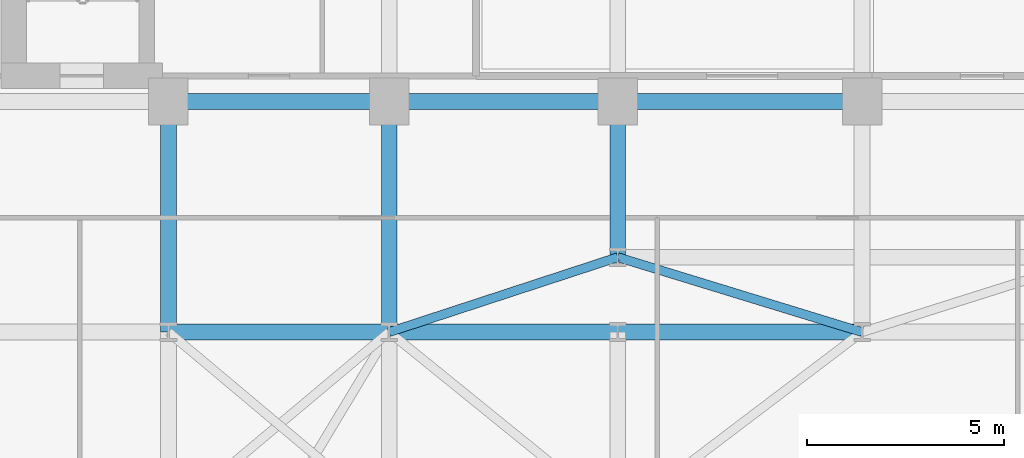
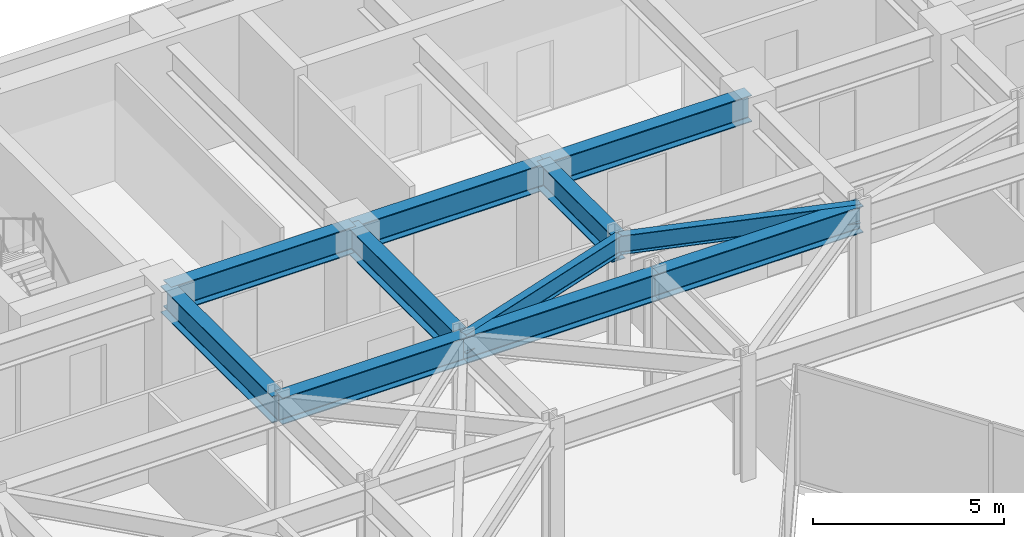
# One storey, part 8 of 20: 11 beams.
"""IFC4 building model written with IfcOpenShell, lengths in metres."""

import ifcopenshell
import ifcopenshell.guid

model = None  # the IFC model being written
_history = None  # IfcOwnerHistory: only IFC2X3 demands one
_inside = {}  # id of a spatial element -> (the spatial element, [elements in it])
_under = {}  # id of a project, library or spatial element -> (it, [spatial elements below it])
_declared = {}  # id of a project -> (the project, [libraries it declares])
_typed = {}  # id of a type object -> (the type object, [elements of that type])
_made_of = {}  # id of a material, layer set ... -> (it, [elements and type objects made of it])


def new_model(schema):
    """Start an empty IFC model of exactly this schema.

    Asked for "IFC4X3", IfcOpenShell would pick the latest addendum, in which some entities
    have other attributes; the version numbers below select the first issue.
    IFC2X3 requires an IfcOwnerHistory on every rooted entity: one is made here for all.
    """
    global model, _history
    if schema == "IFC4X3":
        model = ifcopenshell.file(schema_version=(4, 3, 0, 0))
    else:
        model = ifcopenshell.file(schema=schema)
    _inside.clear()
    _under.clear()
    _declared.clear()
    _typed.clear()
    _made_of.clear()
    _history = None
    if model.schema == "IFC2X3":
        org = make("IfcOrganization", Name="unknown")
        user = make(
            "IfcPersonAndOrganization",
            ThePerson=make("IfcPerson", FamilyName="unknown"),
            TheOrganization=org,
        )
        app = make(
            "IfcApplication",
            ApplicationDeveloper=org,
            Version="unknown",
            ApplicationFullName="unknown",
            ApplicationIdentifier="unknown",
        )
        _history = make(
            "IfcOwnerHistory",
            OwningUser=user,
            OwningApplication=app,
            ChangeAction="ADDED",
            CreationDate=0,
        )
    return model


def make(cls, **values):
    """One entity of the class cls with the attributes given. An attribute that is None is left unset."""
    return model.create_entity(
        cls, **{name: value for name, value in values.items() if value is not None}
    )


def rooted(cls, **values):
    """An entity with a GlobalId (a new one), such as an element, a storey or a relation."""
    return make(cls, GlobalId=ifcopenshell.guid.new(), OwnerHistory=_history, **values)


def si_unit(unit_type, name, prefix=None):
    """IfcSIUnit, for example si_unit("LENGTHUNIT", "METRE", prefix="MILLI")."""
    return make("IfcSIUnit", UnitType=unit_type, Prefix=prefix, Name=name)


def assignment(units):
    """IfcUnitAssignment: the units of a project."""
    return None if units is None else make("IfcUnitAssignment", Units=units)


def point(xyz):
    """IfcCartesianPoint."""
    return None if xyz is None else make("IfcCartesianPoint", Coordinates=xyz)


def direction(xyz):
    """IfcDirection."""
    return None if xyz is None else make("IfcDirection", DirectionRatios=xyz)


def frame(location, z_axis=None, x_axis=None):
    """IfcAxis2Placement3D, a coordinate frame: its origin and axes. An axis left out is left unset."""
    return make(
        "IfcAxis2Placement3D",
        Location=point(location),
        Axis=direction(z_axis),
        RefDirection=direction(x_axis),
    )


def frame_2d(location, x_axis=None):
    """IfcAxis2Placement2D, a coordinate frame in the plane: its origin and x axis."""
    return make(
        "IfcAxis2Placement2D", Location=point(location), RefDirection=direction(x_axis)
    )


def origin():
    """The frame at (0, 0, 0) with its axes left unset."""
    return frame((0.0, 0.0, 0.0))


def origin_2d():
    """The frame at (0, 0) in the plane with its x axis left unset."""
    return frame_2d((0.0, 0.0))


def place(relative_to, where):
    """IfcLocalPlacement: puts the frame where relative to a parent placement (None: the world)."""
    return make(
        "IfcLocalPlacement", PlacementRelTo=relative_to, RelativePlacement=where
    )


def context(
    kind, dimensions, precision=None, world=None, true_north=None, identifier=None
):
    """IfcGeometricRepresentationContext, for example the 3D "Model" context."""
    return make(
        "IfcGeometricRepresentationContext",
        ContextIdentifier=identifier,
        ContextType=kind,
        CoordinateSpaceDimension=dimensions,
        Precision=precision,
        WorldCoordinateSystem=world,
        TrueNorth=true_north,
    )


def subcontext(parent, identifier, kind, view, scale=None):
    """IfcGeometricRepresentationSubContext, for example "Body" below "Model"."""
    return make(
        "IfcGeometricRepresentationSubContext",
        ContextIdentifier=identifier,
        ContextType=kind,
        ParentContext=parent,
        TargetScale=scale,
        TargetView=view,
    )


def project(units=None, contexts=None):
    """IfcProject with its units and contexts."""
    return rooted(
        "IfcProject",
        Name="project",
        RepresentationContexts=contexts,
        UnitsInContext=assignment(units),
    )


def spatial(cls, under=None, at=None, **own):
    """A site, building, storey or space (cls), placed at a placement, below another one or the project."""
    s = rooted(cls, ObjectPlacement=at, **own)
    if under is not None:
        _under.setdefault(under.id(), (under, []))[1].append(s)
    return s


def profile(cls, at=None, kind="AREA", **sizes):
    """A parametric profile (cls). Its sizes go by their IFC names, for example OverallWidth=200.0."""
    return make(cls, ProfileType=kind, Position=at, **sizes)


def i_section(**sizes):
    """IfcIShapeProfileDef."""
    return profile("IfcIShapeProfileDef", **sizes)


def extrude(swept, where, along, depth):
    """IfcExtrudedAreaSolid: the profile swept, set in the frame where, extruded along a direction by depth."""
    return make(
        "IfcExtrudedAreaSolid",
        SweptArea=swept,
        Position=where,
        ExtrudedDirection=direction(along),
        Depth=depth,
    )


def shape(context_of_items, identifier, shape_type, items):
    """IfcShapeRepresentation: the items that make up one representation, for example the "Body"."""
    return make(
        "IfcShapeRepresentation",
        ContextOfItems=context_of_items,
        RepresentationIdentifier=identifier,
        RepresentationType=shape_type,
        Items=items,
    )


def material(Name=None, Category=None):
    """IfcMaterial."""
    return make("IfcMaterial", Name=Name, Category=Category)


def material_profile(
    of_material, cross_section, Name=None, Category=None, Priority=None
):
    """IfcMaterialProfile: a cross section and its material."""
    return make(
        "IfcMaterialProfile",
        Name=Name,
        Material=of_material,
        Profile=cross_section,
        Priority=Priority,
        Category=Category,
    )


def profile_set(profiles, Name=None, composite=None):
    """IfcMaterialProfileSet."""
    return make(
        "IfcMaterialProfileSet",
        Name=Name,
        MaterialProfiles=profiles,
        CompositeProfile=composite,
    )


def made_of(thing, what):
    """Note that an element or type object is made of a material, layer set ...; save() writes the relation."""
    if what is not None:
        _made_of.setdefault(what.id(), (what, []))[1].append(thing)
    return thing


def type_object(cls, material=None, **own):
    """A type object (cls), such as IfcWallType, which elements share."""
    return made_of(rooted(cls, **own), material)


def element(
    cls,
    number,
    at=None,
    inside=None,
    cuts=None,
    type_object=None,
    material=None,
    context=None,
    identifier="Body",
    shape_type=None,
    held_by="IfcProductDefinitionShape",
    body=None,
    shapes=None,
    **own,
):
    """One element of the class cls, such as IfcWall. Its Tag is "e" and its number.

    at: its placement. inside: the storey or other place that contains it. cuts: it is an
    opening in that element (IfcRelVoidsElement). A single representation is given by context,
    identifier, shape_type and body (its items); several are given by shapes. held_by: the class
    of the entity that holds the representations. save() writes the other relations.
    """
    e = rooted(cls, Tag="e%d" % number, ObjectPlacement=at, **own)
    if body is not None:
        shapes = [shape(context, identifier, shape_type, body)]
    if shapes is not None:
        e.Representation = make(held_by, Representations=shapes)
    if inside is not None:
        _inside.setdefault(inside.id(), (inside, []))[1].append(e)
    if cuts is not None:
        rooted(
            "IfcRelVoidsElement", RelatingBuildingElement=cuts, RelatedOpeningElement=e
        )
    if type_object is not None:
        _typed.setdefault(type_object.id(), (type_object, []))[1].append(e)
    return made_of(e, material)


def aggregate(whole, parts):
    """IfcRelAggregates: a whole, such as a stair, and the parts it consists of."""
    return rooted("IfcRelAggregates", RelatingObject=whole, RelatedObjects=parts)


def save(model, path):
    """Write the relations noted so far, then the file.

    IfcRelAggregates (storeys below a building ...), IfcRelContainedInSpatialStructure (elements
    in a storey), IfcRelDefinesByType, IfcRelAssociatesMaterial and IfcRelDeclares: one each for
    every whole, place, type object, material and project.
    """
    for whole, parts in _under.values():
        aggregate(whole, parts)
    for where, things in _inside.values():
        rooted(
            "IfcRelContainedInSpatialStructure",
            RelatedElements=things,
            RelatingStructure=where,
        )
    for kind, things in _typed.values():
        rooted("IfcRelDefinesByType", RelatedObjects=things, RelatingType=kind)
    for what, things in _made_of.values():
        rooted("IfcRelAssociatesMaterial", RelatedObjects=things, RelatingMaterial=what)
    for by, libraries in _declared.values():
        rooted("IfcRelDeclares", RelatingContext=by, RelatedDefinitions=libraries)
    model.write(path)


model = new_model("IFC4")

# Units and contexts
model_context = context("Model", 3, precision=1e-05, world=origin(), true_north=direction((0.0, 1.0)))
body_context = subcontext(model_context, "Body", "Model", "MODEL_VIEW")
ifc_project = project(units=[si_unit("LENGTHUNIT", "METRE"), si_unit("AREAUNIT", "SQUARE_METRE"), si_unit("VOLUMEUNIT", "CUBIC_METRE"), si_unit("PLANEANGLEUNIT", "RADIAN"), si_unit("MASSUNIT", "GRAM", prefix="KILO")], contexts=[model_context])

# Site, building, storey
site_placement = place(None, origin())
site = spatial("IfcSite", under=ifc_project, at=site_placement, CompositionType="ELEMENT")
building_placement = place(site_placement, origin())
building = spatial("IfcBuilding", under=site, at=building_placement, Name="Kravanh Interchange Tower", CompositionType="ELEMENT")
storey_placement = place(building_placement, frame((0.0, 0.0, 104.0)))
storey = spatial("IfcBuildingStorey", under=building, at=storey_placement, Name="L24", CompositionType="ELEMENT", Elevation=104.0)

# Beams
ifc_material_1 = material(Name="Structural Steel S355", Category="steel")
ifc_material_profile_1 = material_profile(ifc_material_1, i_section(OverallWidth=0.39990234375, OverallDepth=0.85595703125, WebThickness=0.018310546875, FlangeThickness=0.029296875, FilletRadius=0.02490234375, at=origin_2d()), Name="W33X201")
ifc_profile_set_1 = profile_set([ifc_material_profile_1], Name="Structural Steel S355")
beam_type_1 = type_object("IfcBeamType", Name="Floor Beam W33X201 Structural Steel S355", PredefinedType="BEAM", material=ifc_profile_set_1)
beam_1_placement = place(storey_placement, frame((44.800048828125, 37.35009765625, 3.322021484375), z_axis=(-1.0, 0.0, 0.0), x_axis=(0.0, -1.0, 0.0)))
element("IfcBeam", 1, at=beam_1_placement, inside=storey, type_object=beam_type_1, Name="L24 Primary Floor Girder 13", PredefinedType="BEAM", context=body_context, shape_type="SweptSolid", body=[
    extrude(i_section(OverallWidth=0.39990234375, OverallDepth=0.85595703125, WebThickness=0.018310546875, FlangeThickness=0.029296875, FilletRadius=0.02490234375, at=origin_2d()), origin(), (0.0, 0.0, 1.0), 6.199951171875),
])
beam_2_placement = place(storey_placement, frame((38.60009765625, 37.35009765625, 3.322021484375), z_axis=(0.0, -1.0, 0.0), x_axis=(1.0, 0.0, 0.0)))
element("IfcBeam", 2, at=beam_2_placement, inside=storey, type_object=beam_type_1, Name="L24 Primary Floor Girder 16", PredefinedType="BEAM", context=body_context, shape_type="SweptSolid", body=[
    extrude(i_section(OverallWidth=0.39990234375, OverallDepth=0.85595703125, WebThickness=0.018310546875, FlangeThickness=0.029296875, FilletRadius=0.02490234375, at=origin_2d()), origin(), (0.0, 0.0, 1.0), 3.9501953125),
])
beam_3_placement = place(storey_placement, frame((38.60009765625, 37.35009765625, 3.322021484375), z_axis=(-1.0, 0.0, 0.0), x_axis=(0.0, -1.0, 0.0)))
element("IfcBeam", 3, at=beam_3_placement, inside=storey, type_object=beam_type_1, Name="L24 Primary Floor Girder 17", PredefinedType="BEAM", context=body_context, shape_type="SweptSolid", body=[
    extrude(i_section(OverallWidth=0.39990234375, OverallDepth=0.85595703125, WebThickness=0.018310546875, FlangeThickness=0.029296875, FilletRadius=0.02490234375, at=origin_2d()), origin(), (0.0, 0.0, 1.0), 5.800048828125),
])
beam_4_placement = place(storey_placement, frame((32.800048828125, 37.35009765625, 3.322021484375), z_axis=(-1.0, 0.0, 0.0), x_axis=(0.0, -1.0, 0.0)))
element("IfcBeam", 4, at=beam_4_placement, inside=storey, type_object=beam_type_1, Name="L24 Primary Floor Girder 20", PredefinedType="BEAM", context=body_context, shape_type="SweptSolid", body=[
    extrude(i_section(OverallWidth=0.39990234375, OverallDepth=0.85595703125, WebThickness=0.018310546875, FlangeThickness=0.029296875, FilletRadius=0.02490234375, at=origin_2d()), origin(), (0.0, 0.0, 1.0), 5.60009765625),
])
for number, where, z_axis, x_axis, name in (
    (5, (32.800048828125, 37.35009765625, 3.322021484375), (0.0, -1.0, 0.0), (1.0, 0.0, 0.0), "L24 Primary Floor Girder 21"),
    (6, (27.199951171875, 37.35009765625, 3.322021484375), (0.0, -1.0, 0.0), (1.0, 0.0, 0.0), "L24 Primary Floor Girder 24"),
):
    element("IfcBeam", number, at=place(storey_placement, frame(where, z_axis=z_axis, x_axis=x_axis)), inside=storey, type_object=beam_type_1, Name=name, PredefinedType="BEAM", context=body_context, shape_type="SweptSolid", body=[
        extrude(i_section(OverallWidth=0.39990234375, OverallDepth=0.85595703125, WebThickness=0.018310546875, FlangeThickness=0.029296875, FilletRadius=0.02490234375, at=origin_2d()), origin(), (0.0, 0.0, 1.0), 5.85009765625),
    ])
beam_5_placement = place(storey_placement, frame((27.199951171875, 31.5, 3.322021484375), z_axis=(1.0, 0.0, 0.0), x_axis=(0.0, 1.0, 0.0)))
element("IfcBeam", 7, at=beam_5_placement, inside=storey, type_object=beam_type_1, Name="L24 Primary Floor Girder 74", PredefinedType="BEAM", context=body_context, shape_type="SweptSolid", body=[
    extrude(i_section(OverallWidth=0.39990234375, OverallDepth=0.85595703125, WebThickness=0.018310546875, FlangeThickness=0.029296875, FilletRadius=0.02490234375, at=origin_2d()), origin(), (0.0, 0.0, 1.0), 5.60009765625),
])
beam_6_placement = place(storey_placement, frame((32.800048828125, 31.5, 3.322021484375), z_axis=(1.0, 0.0, 0.0), x_axis=(0.0, 1.0, 0.0)))
element("IfcBeam", 8, at=beam_6_placement, inside=storey, type_object=beam_type_1, Name="L24 Primary Floor Girder 78", PredefinedType="BEAM", context=body_context, shape_type="SweptSolid", body=[
    extrude(i_section(OverallWidth=0.39990234375, OverallDepth=0.85595703125, WebThickness=0.018310546875, FlangeThickness=0.029296875, FilletRadius=0.02490234375, at=origin_2d()), origin(), (0.0, 0.0, 1.0), 5.800048828125),
])
beam_7_placement = place(storey_placement, frame((38.60009765625, 31.5, 3.322021484375), z_axis=(1.0, 0.0, 0.0), x_axis=(0.0, 1.0, 0.0)))
element("IfcBeam", 9, at=beam_7_placement, inside=storey, type_object=beam_type_1, Name="L24 Primary Floor Girder 81", PredefinedType="BEAM", context=body_context, shape_type="SweptSolid", body=[
    extrude(i_section(OverallWidth=0.39990234375, OverallDepth=0.85595703125, WebThickness=0.018310546875, FlangeThickness=0.029296875, FilletRadius=0.02490234375, at=origin_2d()), origin(), (0.0, 0.0, 1.0), 6.199951171875),
])
ifc_material_2 = material(Name="Structural Steel S355", Category="steel")
ifc_material_profile_2 = material_profile(ifc_material_2, i_section(OverallWidth=0.22802734375, OverallDepth=0.60791015625, WebThickness=0.01123046875, FlangeThickness=0.017333984375, FilletRadius=0.02197265625, at=origin_2d()), Name="W24X76")
ifc_profile_set_2 = profile_set([ifc_material_profile_2], Name="Structural Steel S355")
beam_type_2 = type_object("IfcBeamType", Name="Floor Spandrel W24X76 Structural Steel S355", PredefinedType="SPANDREL", material=ifc_profile_set_2)
beam_8_placement = place(storey_placement, frame((32.800048828125, 31.5, 3.446044921875), z_axis=(0.950314536578, 0.31129131303, 0.0), x_axis=(-0.31129131303, 0.950314536578, 0.0)))
element("IfcBeam", 10, at=beam_8_placement, inside=storey, type_object=beam_type_2, Name="L24 Perimeter Spandrel 79", PredefinedType="SPANDREL", context=body_context, shape_type="SweptSolid", body=[
    extrude(i_section(OverallWidth=0.22802734375, OverallDepth=0.60791015625, WebThickness=0.01123046875, FlangeThickness=0.017333984375, FilletRadius=0.02197265625, at=origin_2d()), origin(), (0.0, 0.0, 1.0), 6.103271484375),
])
beam_9_placement = place(storey_placement, frame((44.800048828125, 31.5, 3.446044921875), z_axis=(-0.956115397264, 0.292990353279, 0.0), x_axis=(-0.292990353279, -0.956115397264, 0.0)))
element("IfcBeam", 11, at=beam_9_placement, inside=storey, type_object=beam_type_2, Name="L24 Perimeter Spandrel 85", PredefinedType="SPANDREL", context=body_context, shape_type="SweptSolid", body=[
    extrude(i_section(OverallWidth=0.22802734375, OverallDepth=0.60791015625, WebThickness=0.01123046875, FlangeThickness=0.017333984375, FilletRadius=0.02197265625, at=origin_2d()), origin(), (0.0, 0.0, 1.0), 6.484619140625),
])

save(model, "model.ifc")
